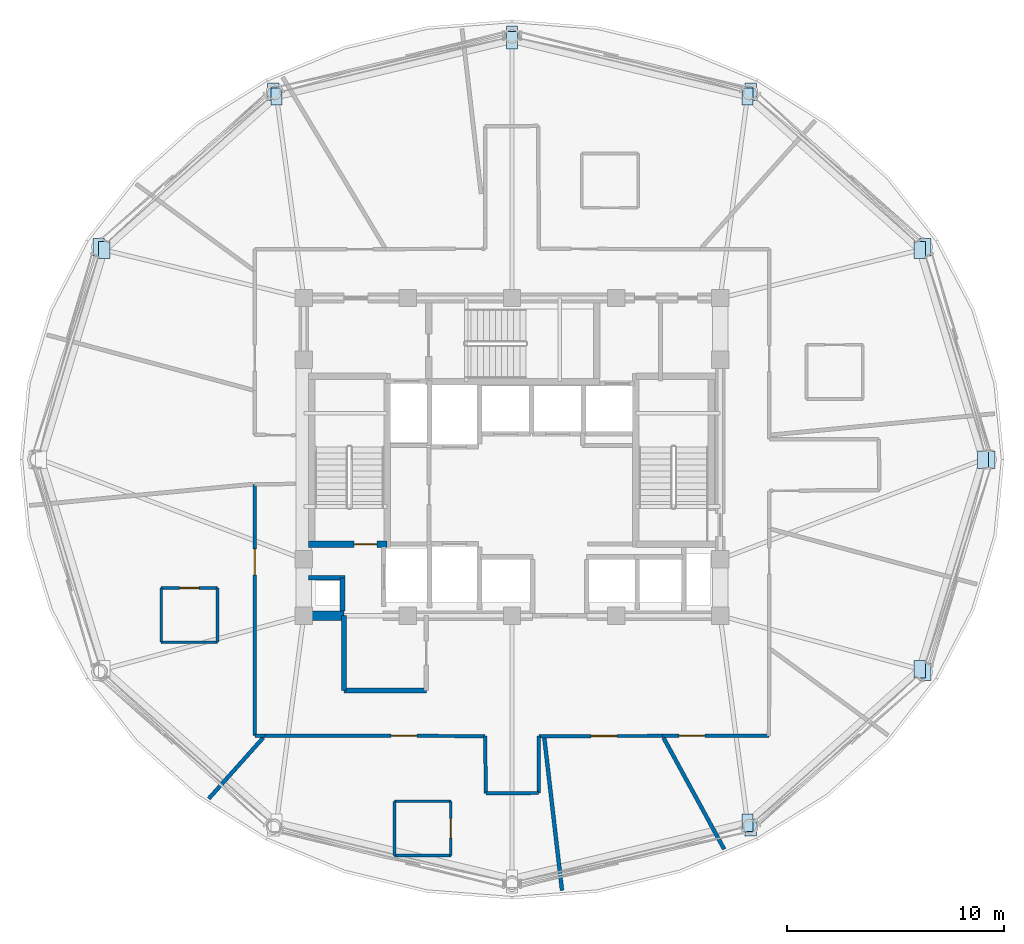
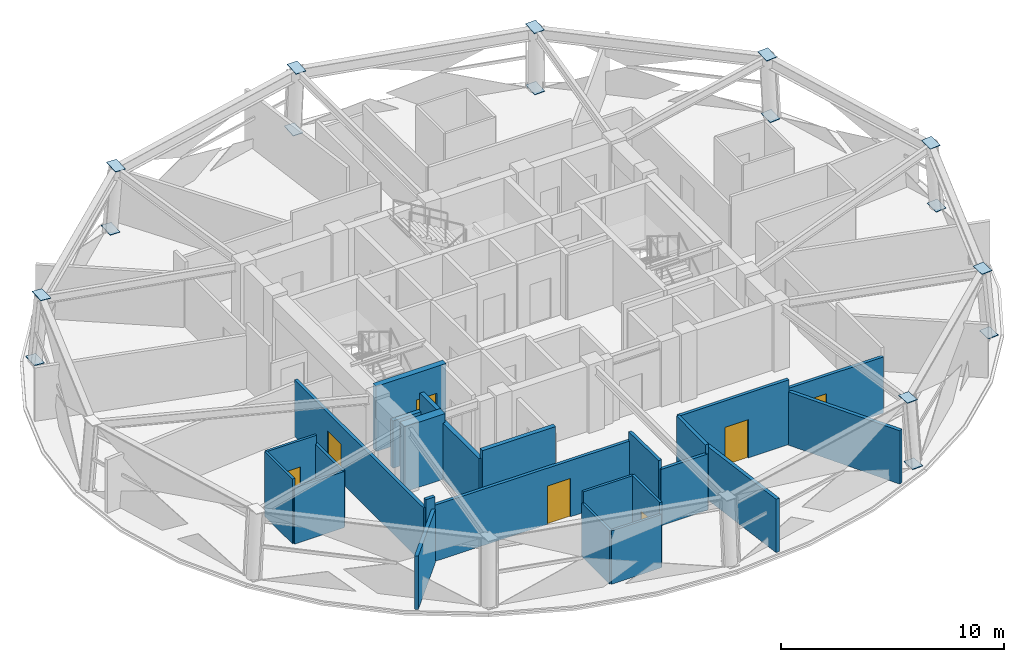
# One storey, part 4 of 11: 25 walls, 16 plates, 7 doors, 7 openings.
"""IFC4 building model written with IfcOpenShell, lengths in metres."""

from ifc_helpers import new_model, si_unit, direction, frame, frame_2d, origin, place, context, subcontext, project, spatial, polyline, rectangle, outline, extrude, material, layer, layer_set, type_object, element, fill, save


model = new_model("IFC4")

# Units and contexts
model_context = context("Model", 3, precision=1e-05, world=origin(), true_north=direction((0.0, 1.0)))
body_context = subcontext(model_context, "Body", "Model", "MODEL_VIEW")
ifc_project = project(units=[si_unit("LENGTHUNIT", "METRE"), si_unit("AREAUNIT", "SQUARE_METRE"), si_unit("VOLUMEUNIT", "CUBIC_METRE"), si_unit("PLANEANGLEUNIT", "RADIAN"), si_unit("MASSUNIT", "GRAM", prefix="KILO")], contexts=[model_context])

# Site, building, storey
site_placement = place(None, origin())
site = spatial("IfcSite", under=ifc_project, at=site_placement, CompositionType="ELEMENT")
building_placement = place(site_placement, origin())
building = spatial("IfcBuilding", under=site, at=building_placement, Name="Vantalir Tower", CompositionType="ELEMENT")
storey_placement = place(building_placement, frame((0.0, 0.0, 231.14990234375)))
storey = spatial("IfcBuildingStorey", under=building, at=storey_placement, Name="L58", CompositionType="ELEMENT", Elevation=231.14990234375)

# Plates
ifc_material_1 = material(Name="Steel S460", Category="steel")
ifc_layer_1 = layer(ifc_material_1, 0.031982421875)
ifc_layer_set_1 = layer_set([ifc_layer_1], Name="Steel S460")
plate_type = type_object("IfcPlateType", Name="PLT-KN-Z3", PredefinedType="USERDEFINED", material=ifc_layer_set_1)
plate_1_placement = place(storey_placement, frame((52.956787109375, 25.39990234375, 3.572509765625), z_axis=(-0.082618137027, 0.0, 0.996581277887), x_axis=(0.0, -1.0, 0.0)))
element("IfcPlate", 1, at=plate_1_placement, inside=storey, type_object=plate_type, Name="L58 Ring Column Top Cap RC01", ObjectType="FLANGE_PLATE", PredefinedType="USERDEFINED", context=body_context, shape_type="SweptSolid", body=[
    extrude(outline(polyline([(0.0, 0.0), (0.7998046875, 0.0), (0.7998046875, 0.5200885852221947), (0.0, 0.5200885852221947), (0.0, 0.0)])), origin(), (0.0, 0.0, -1.0), 0.031982421875),
])
plate_2_placement = place(storey_placement, frame((53.24951171875, 25.39990234375, 0.031494140625), z_axis=(-0.082151892877, 0.0, 0.996619820441), x_axis=(0.0, -1.0, 0.0)))
element("IfcPlate", 2, at=plate_2_placement, inside=storey, type_object=plate_type, Name="L58 Ring Column Base Cap RC01", ObjectType="FLANGE_PLATE", PredefinedType="USERDEFINED", context=body_context, shape_type="SweptSolid", body=[
    extrude(outline(polyline([(0.0, 0.0), (0.7998046875, 0.0), (0.7998046875, 0.5200684716920532), (0.0, 0.5200684716920532), (0.0, 0.0)])), origin(), (0.0, 0.0, -1.0), 0.031982421875),
])
plate_3_placement = place(storey_placement, frame((50.046875, 35.0654296875, 3.59033203125), z_axis=(-0.071626877496, -0.036984146802, 0.996745586048), x_axis=(-1.129986e-05, -0.99931229299, -0.037080196227)))
element("IfcPlate", 3, at=plate_3_placement, inside=storey, type_object=plate_type, Name="L58 Ring Column Top Cap RC02", ObjectType="FLANGE_PLATE", PredefinedType="USERDEFINED", context=body_context, shape_type="SweptSolid", body=[
    extrude(outline(polyline([(0.0, 0.0), (0.7998711501922752, 4.336808689942018e-19), (0.799944048515855, 0.5201438586805849), (-0.00016202162191883982, 0.5201257326056257), (0.0, 0.0)])), origin(), (0.0, 0.0, -1.0), 0.031982421875),
])
plate_4_placement = place(storey_placement, frame((50.30078125, 35.196533203125, 0.049072265625), z_axis=(-0.07139355561, -0.036832774338, 0.996767930339), x_axis=(4.01195e-07, -0.999317966671, -0.036926975072)))
element("IfcPlate", 4, at=plate_4_placement, inside=storey, type_object=plate_type, Name="L58 Ring Column Base Cap RC02", ObjectType="FLANGE_PLATE", PredefinedType="USERDEFINED", context=body_context, shape_type="SweptSolid", body=[
    extrude(outline(polyline([(0.0, 0.0), (0.8001060802812273, 4.336808689942018e-19), (0.7999558220201554, 0.5201257514247132), (9.371585188476137e-05, 0.5201263949667418), (0.0, 0.0)])), origin(), (0.0, 0.0, -1.0), 0.031982421875),
])
plate_5_placement = place(storey_placement, frame((42.09814453125, 42.141357421875, 3.60888671875), z_axis=(-0.040945683992, -0.063730733967, 0.997126794601), x_axis=(0.0, -0.997963713083, -0.063784225087)))
element("IfcPlate", 5, at=plate_5_placement, inside=storey, type_object=plate_type, Name="L58 Ring Column Top Cap RC03", ObjectType="FLANGE_PLATE", PredefinedType="USERDEFINED", context=body_context, shape_type="SweptSolid", body=[
    extrude(outline(polyline([(0.0, 0.0), (0.7999688097714862, 8.673617379884035e-19), (0.800075878789048, 0.5199673081899523), (0.00010706901756170101, 0.5199673081899523), (0.0, 0.0)])), origin(), (0.0, 0.0, -1.0), 0.031982421875),
])
plate_6_placement = place(storey_placement, frame((42.244140625, 42.367431640625, 0.06787109375), z_axis=(-0.040915785494, -0.063730812089, 0.9971280169), x_axis=(0.0, -0.997963713083, -0.063784225087)))
element("IfcPlate", 6, at=plate_6_placement, inside=storey, type_object=plate_type, Name="L58 Ring Column Base Cap RC03", ObjectType="FLANGE_PLATE", PredefinedType="USERDEFINED", context=body_context, shape_type="SweptSolid", body=[
    extrude(outline(polyline([(0.0, 0.0), (0.7999688097714862, 4.336808689942018e-19), (0.7998322353044086, 0.5199666708034294), (-0.0001365744670776606, 0.5199666708034294), (0.0, 0.0)])), origin(), (0.0, 0.0, -1.0), 0.031982421875),
])
plate_7_placement = place(storey_placement, frame((31.239990234375, 44.730224609375, 3.62353515625), z_axis=(0.0, -0.073545696274, 0.997291848237), x_axis=(0.0, -0.997291848237, -0.073545696274)))
element("IfcPlate", 7, at=plate_7_placement, inside=storey, type_object=plate_type, Name="L58 Ring Column Top Cap RC04", ObjectType="FLANGE_PLATE", PredefinedType="USERDEFINED", context=body_context, shape_type="SweptSolid", body=[
    extrude(outline(polyline([(0.0, 0.0), (0.8000181330175529, 0.0), (0.8000181330175529, 0.52001953125), (0.0, 0.52001953125), (0.0, 0.0)])), origin(), (0.0, 0.0, -1.0), 0.031982421875),
])
plate_8_placement = place(storey_placement, frame((31.239990234375, 44.990966796875, 0.082275390625), z_axis=(0.0, -0.073242167855, 0.997314185625), x_axis=(0.0, -0.997314185625, -0.073242167855)))
element("IfcPlate", 8, at=plate_8_placement, inside=storey, type_object=plate_type, Name="L58 Ring Column Base Cap RC04", ObjectType="FLANGE_PLATE", PredefinedType="USERDEFINED", context=body_context, shape_type="SweptSolid", body=[
    extrude(outline(polyline([(0.0, 0.0), (0.8000002145766925, 0.0), (0.8000002145766925, 0.52001953125), (0.0, 0.52001953125), (0.0, 0.0)])), origin(), (0.0, 0.0, -1.0), 0.031982421875),
])
plate_9_placement = place(storey_placement, frame((20.38232421875, 42.139892578125, 3.630126953125), z_axis=(0.040945683992, -0.063730733967, 0.997126794601), x_axis=(0.0, -0.997963713083, -0.063784225087)))
element("IfcPlate", 9, at=plate_9_placement, inside=storey, type_object=plate_type, Name="L58 Ring Column Top Cap RC05", ObjectType="FLANGE_PLATE", PredefinedType="USERDEFINED", context=body_context, shape_type="SweptSolid", body=[
    extrude(outline(polyline([(0.0, 0.0), (0.7999688097714862, -8.673617379884035e-19), (0.7998617407539245, 0.5199673081899523), (-0.00010706901756170101, 0.5199673081899523), (0.0, 0.0)])), origin(), (0.0, 0.0, -1.0), 0.031982421875),
])
plate_10_placement = place(storey_placement, frame((20.236328125, 42.3662109375, 0.089111328125), z_axis=(0.040915785494, -0.063730812089, 0.9971280169), x_axis=(0.0, -0.997963713083, -0.063784225087)))
element("IfcPlate", 10, at=plate_10_placement, inside=storey, type_object=plate_type, Name="L58 Ring Column Base Cap RC05", ObjectType="FLANGE_PLATE", PredefinedType="USERDEFINED", context=body_context, shape_type="SweptSolid", body=[
    extrude(outline(polyline([(0.0, 0.0), (0.7999688097714862, -4.336808689942018e-19), (0.8001053842385638, 0.5199666708034294), (0.0001365744670776606, 0.5199666708034294), (0.0, 0.0)])), origin(), (0.0, 0.0, -1.0), 0.031982421875),
])
plate_11_placement = place(storey_placement, frame((12.434326171875, 35.064208984375, 3.62744140625), z_axis=(0.071626877496, -0.036984146802, 0.996745586048), x_axis=(-1.1296542e-05, -0.999312353157, -0.037078574665)))
element("IfcPlate", 11, at=plate_11_placement, inside=storey, type_object=plate_type, Name="L58 Ring Column Top Cap RC06", ObjectType="FLANGE_PLATE", PredefinedType="USERDEFINED", context=body_context, shape_type="SweptSolid", body=[
    extrude(outline(polyline([(0.0, 0.0), (0.8001060703430933, 4.336808689942018e-19), (0.8000213883736864, 0.5201438568956265), (0.00015023838667025248, 0.5201257361426869), (0.0, 0.0)])), origin(), (0.0, 0.0, -1.0), 0.031982421875),
])
plate_12_placement = place(storey_placement, frame((12.180419921875, 35.195068359375, 0.086181640625), z_axis=(0.07139355561, -0.036832774338, 0.996767930339), x_axis=(4.01318e-07, -0.99931796455, -0.036927032473)))
element("IfcPlate", 12, at=plate_12_placement, inside=storey, type_object=plate_type, Name="L58 Ring Column Base Cap RC06", ObjectType="FLANGE_PLATE", PredefinedType="USERDEFINED", context=body_context, shape_type="SweptSolid", body=[
    extrude(outline(polyline([(0.0, 0.0), (0.7998621061685295, 4.336808689942018e-19), (0.8000127829052095, 0.5201257513036521), (-9.329737575888429e-05, 0.5201263950419742), (0.0, 0.0)])), origin(), (0.0, 0.0, -1.0), 0.031982421875),
])
plate_13_placement = place(storey_placement, frame((42.09814453125, 8.656982421875, 3.557861328125), z_axis=(-0.040945683992, 0.063730733967, 0.997126794601), x_axis=(0.0, -0.997963713083, 0.063784225087)))
element("IfcPlate", 13, at=plate_13_placement, inside=storey, type_object=plate_type, Name="L58 Ring Column Top Cap RC11", ObjectType="FLANGE_PLATE", PredefinedType="USERDEFINED", context=body_context, shape_type="SweptSolid", body=[
    extrude(outline(polyline([(0.0, 0.0), (0.7999688097714862, -8.673617379884035e-19), (0.7998617407539245, 0.5199673081899523), (-0.00010706901756170101, 0.5199673081899523), (0.0, 0.0)])), origin(), (0.0, 0.0, -1.0), 0.031982421875),
])
plate_14_placement = place(storey_placement, frame((42.244140625, 8.430908203125, 0.016845703125), z_axis=(-0.040915785494, 0.063730812089, 0.9971280169), x_axis=(0.0, -0.997963713083, 0.063784225087)))
element("IfcPlate", 14, at=plate_14_placement, inside=storey, type_object=plate_type, Name="L58 Ring Column Base Cap RC11", ObjectType="FLANGE_PLATE", PredefinedType="USERDEFINED", context=body_context, shape_type="SweptSolid", body=[
    extrude(outline(polyline([(0.0, 0.0), (0.7999688097714862, -4.336808689942018e-19), (0.8001053842385638, 0.5199666708034294), (0.0001365744670776606, 0.5199666708034294), (0.0, 0.0)])), origin(), (0.0, 0.0, -1.0), 0.031982421875),
])
plate_15_placement = place(storey_placement, frame((50.046875, 15.73291015625, 3.560791015625), z_axis=(-0.07140211899, 0.036523189325, 0.996778708664), x_axis=(0.0, -0.999329385637, 0.036616649245)))
element("IfcPlate", 15, at=plate_15_placement, inside=storey, type_object=plate_type, Name="L58 Ring Column Top Cap RC12", ObjectType="FLANGE_PLATE", PredefinedType="USERDEFINED", context=body_context, shape_type="SweptSolid", body=[
    extrude(outline(polyline([(0.0, 0.0), (0.800097103484205, 0.0), (0.7999920630475289, 0.5201263928224394), (-0.00010504043667614645, 0.5201263928224394), (0.0, 0.0)])), origin(), (0.0, 0.0, -1.0), 0.031982421875),
])
plate_16_placement = place(storey_placement, frame((50.30078125, 15.60302734375, 0.019775390625), z_axis=(-0.071393568921, 0.03652878117, 0.996779116185), x_axis=(-3.97889e-07, -0.999329182072, 0.036622204468)))
element("IfcPlate", 16, at=plate_16_placement, inside=storey, type_object=plate_type, Name="L58 Ring Column Base Cap RC12", ObjectType="FLANGE_PLATE", PredefinedType="USERDEFINED", context=body_context, shape_type="SweptSolid", body=[
    extrude(outline(polyline([(0.0, 0.0), (0.8000971034717794, 4.336808689942018e-19), (0.7999920630599529, 0.5201263928033304), (0.00013893643926512762, 0.5201257545725513), (0.0, 0.0)])), origin(), (0.0, 0.0, -1.0), 0.031982421875),
])

# Wall
ifc_material_2 = material(Name="Moisture-resistant en-suite partition", Category="gypsum")
ifc_layer_2 = layer(ifc_material_2, 0.125)
ifc_layer_set_2 = layer_set([ifc_layer_2], Name="Moisture-resistant en-suite partition")
wall_type_1 = type_object("IfcWallType", Name="WL-BATH-125", PredefinedType="PARTITIONING", material=ifc_layer_set_2)
wall_1_placement = place(storey_placement, frame((15.322998046875, 16.5791015625, 0.0), z_axis=(0.0, 0.0, 1.0), x_axis=(1.0, 0.0, 0.0)))
element("IfcWall", 17, at=wall_1_placement, inside=storey, type_object=wall_type_1, Name="L58 En-suite 07 South Wall", PredefinedType="PARTITIONING", context=body_context, shape_type="SweptSolid", body=[
    extrude(rectangle(XDim=2.60009765625, YDim=0.125, at=frame_2d((1.300048828125, 0.0))), origin(), (0.0, 0.0, 1.0), 3.0810546875),
])

# Wall, opening, door
wall_2_placement = place(storey_placement, frame((15.322998046875, 19.0791015625, 0.0), z_axis=(0.0, 0.0, 1.0), x_axis=(1.0, 0.0, 0.0)))
wall_2 = element("IfcWall", 18, at=wall_2_placement, inside=storey, type_object=wall_type_1, Name="L58 En-suite 07 North Wall", PredefinedType="PARTITIONING", context=body_context, shape_type="SweptSolid", body=[
    extrude(rectangle(XDim=2.60009765625, YDim=0.125, at=frame_2d((1.300048828125, 0.0))), origin(), (0.0, 0.0, 1.0), 3.550048828125),
])
opening_1_placement = place(wall_2_placement, frame((0.85009765625, 0.0, 0.0)))
opening_1 = element("IfcOpeningElement", 19, at=opening_1_placement, cuts=wall_2, Name="Opening D-WC", PredefinedType="OPENING", context=body_context, shape_type="SweptSolid", body=[
    extrude(rectangle(XDim=0.89990234375, YDim=2.10009765625, at=frame_2d((0.449951171875, 1.050048828125))), frame((0.0, 0.072509765625, 0.0), z_axis=(0.0, -1.0, 0.0), x_axis=(1.0, 0.0, 0.0)), (0.0, 0.0, 1.0), 0.14501953125),
])
ifc_material_3 = material(Name="Moisture-resistant hardwood door", Category="wood")
door_type_1 = type_object("IfcDoorType", Name="DR-ENSUITE-900", OperationType="NOTDEFINED", PredefinedType="DOOR", material=ifc_material_3)
door_1_placement = place(opening_1_placement, frame((0.89990234375, 0.0, 0.0), z_axis=(0.0, 0.0, 1.0), x_axis=(-1.0, 0.0, 0.0)))
door_1 = element("IfcDoor", 20, at=door_1_placement, inside=storey, type_object=door_type_1, Name="L58 En-suite 07 Door", OperationType="SINGLE_SWING_RIGHT", OverallHeight=2.10009765625, OverallWidth=0.89990234375, PredefinedType="DOOR", context=body_context, shape_type="SweptSolid", body=[
    extrude(rectangle(XDim=0.89990234375, YDim=2.10009765625, at=frame_2d((0.449951171875, 1.050048828125))), frame((0.0, 0.02490234375, 0.0), z_axis=(0.0, -1.0, 0.0), x_axis=(1.0, 0.0, 0.0)), (0.0, 0.0, 1.0), 0.050048828125),
])
fill(opening_1, door_1)

# Walls
wall_3_placement = place(storey_placement, frame((15.322998046875, 16.5791015625, 0.0), z_axis=(0.0, 0.0, 1.0), x_axis=(0.0, 1.0, 0.0)))
element("IfcWall", 21, at=wall_3_placement, inside=storey, type_object=wall_type_1, Name="L58 En-suite 07 West Wall", PredefinedType="PARTITIONING", context=body_context, shape_type="SweptSolid", body=[
    extrude(rectangle(XDim=2.5, YDim=0.125, at=frame_2d((1.25, 0.0))), origin(), (0.0, 0.0, 1.0), 3.550048828125),
])
wall_4_placement = place(storey_placement, frame((17.923095703125, 16.5791015625, 0.0), z_axis=(0.0, 0.0, 1.0), x_axis=(0.0, 1.0, 0.0)))
element("IfcWall", 22, at=wall_4_placement, inside=storey, type_object=wall_type_1, Name="L58 En-suite 07 East Wall", PredefinedType="PARTITIONING", context=body_context, shape_type="SweptSolid", body=[
    extrude(rectangle(XDim=2.5, YDim=0.125, at=frame_2d((1.25, 0.0))), origin(), (0.0, 0.0, 1.0), 3.0810546875),
])
wall_5_placement = place(storey_placement, frame((26.077880859375, 6.740966796875, 0.0), z_axis=(0.0, 0.0, 1.0), x_axis=(1.0, 0.0, 0.0)))
element("IfcWall", 23, at=wall_5_placement, inside=storey, type_object=wall_type_1, Name="L58 En-suite 08 South Wall", PredefinedType="PARTITIONING", context=body_context, shape_type="SweptSolid", body=[
    extrude(rectangle(XDim=2.60009765625, YDim=0.125, at=frame_2d((1.300048828125, 0.0))), origin(), (0.0, 0.0, 1.0), 2.925048828125),
])
wall_6_placement = place(storey_placement, frame((26.077880859375, 9.240966796875, 0.0), z_axis=(0.0, 0.0, 1.0), x_axis=(1.0, 0.0, 0.0)))
element("IfcWall", 24, at=wall_6_placement, inside=storey, type_object=wall_type_1, Name="L58 En-suite 08 North Wall", PredefinedType="PARTITIONING", context=body_context, shape_type="SweptSolid", body=[
    extrude(rectangle(XDim=2.60009765625, YDim=0.125, at=frame_2d((1.300048828125, 0.0))), origin(), (0.0, 0.0, 1.0), 3.550048828125),
])
wall_7_placement = place(storey_placement, frame((26.077880859375, 6.740966796875, 0.0), z_axis=(0.0, 0.0, 1.0), x_axis=(0.0, 1.0, 0.0)))
element("IfcWall", 25, at=wall_7_placement, inside=storey, type_object=wall_type_1, Name="L58 En-suite 08 West Wall", PredefinedType="PARTITIONING", context=body_context, shape_type="SweptSolid", body=[
    extrude(rectangle(XDim=2.5, YDim=0.125, at=frame_2d((1.25, 0.0))), origin(), (0.0, 0.0, 1.0), 2.925048828125),
])

# Wall, opening, door
wall_8_placement = place(storey_placement, frame((28.677978515625, 6.740966796875, 0.0), z_axis=(0.0, 0.0, 1.0), x_axis=(0.0, 1.0, 0.0)))
wall_8 = element("IfcWall", 26, at=wall_8_placement, inside=storey, type_object=wall_type_1, Name="L58 En-suite 08 East Wall", PredefinedType="PARTITIONING", context=body_context, shape_type="SweptSolid", body=[
    extrude(rectangle(XDim=2.5, YDim=0.125, at=frame_2d((1.25, 0.0))), origin(), (0.0, 0.0, 1.0), 3.550048828125),
])
opening_2_placement = place(wall_8_placement, frame((0.800048828125, 0.0, 0.0)))
opening_2 = element("IfcOpeningElement", 27, at=opening_2_placement, cuts=wall_8, Name="Opening D-WC", PredefinedType="OPENING", context=body_context, shape_type="SweptSolid", body=[
    extrude(rectangle(XDim=0.89990234375, YDim=2.10009765625, at=frame_2d((0.449951171875, 1.050048828125))), frame((0.0, 0.072509765625, 0.0), z_axis=(0.0, -1.0, 0.0), x_axis=(1.0, 0.0, 0.0)), (0.0, 0.0, 1.0), 0.14501953125),
])
door_2_placement = place(opening_2_placement, origin())
door_2 = element("IfcDoor", 28, at=door_2_placement, inside=storey, type_object=door_type_1, Name="L58 En-suite 08 Door", OperationType="SINGLE_SWING_LEFT", OverallHeight=2.10009765625, OverallWidth=0.89990234375, PredefinedType="DOOR", context=body_context, shape_type="SweptSolid", body=[
    extrude(rectangle(XDim=0.89990234375, YDim=2.10009765625, at=frame_2d((0.449951171875, 1.050048828125))), frame((0.0, 0.02490234375, 0.0), z_axis=(0.0, -1.0, 0.0), x_axis=(1.0, 0.0, 0.0)), (0.0, 0.0, 1.0), 0.050048828125),
])
fill(opening_2, door_2)

# Wall
ifc_material_4 = material(Name="Concrete C50/60", Category="concrete")
ifc_layer_3 = layer(ifc_material_4, 0.449951171875)
ifc_layer_set_3 = layer_set([ifc_layer_3], Name="Concrete C50/60")
wall_type_2 = type_object("IfcWallType", Name="WL-CORE-450", PredefinedType="SHEAR", material=ifc_layer_set_3)
wall_9_placement = place(storey_placement, frame((21.675048828125, 17.800048828125, 0.0), z_axis=(0.0, 0.0, 1.0), x_axis=(1.0, 0.0, 0.0)))
element("IfcWall", 29, at=wall_9_placement, inside=storey, type_object=wall_type_2, Name="L58 Core Shear Wall South-West", PredefinedType="SHEAR", context=body_context, shape_type="SweptSolid", body=[
    extrude(rectangle(XDim=2.074951171875, YDim=0.449951171875, at=frame_2d((1.03759765625, 0.0))), origin(), (0.0, 0.0, 1.0), 3.570068359375),
])

# Wall, opening, door
ifc_material_5 = material(Name="Fire-rated hotel corridor acoustic partition", Category="gypsum")
ifc_layer_4 = layer(ifc_material_5, 0.159912109375)
ifc_layer_set_4 = layer_set([ifc_layer_4], Name="Fire-rated hotel corridor acoustic partition")
wall_type_3 = type_object("IfcWallType", Name="WL-CORR-160", PredefinedType="PARTITIONING", material=ifc_layer_set_4)
wall_10_placement = place(storey_placement, frame((43.35009765625, 12.259033203125, 0.0), z_axis=(0.0, 0.0, 1.0), x_axis=(-0.99999964262, -0.000845434351, 0.0)))
wall_10 = element("IfcWall", 30, at=wall_10_placement, inside=storey, type_object=wall_type_3, Name="L58 Corridor Partition 20", PredefinedType="PARTITIONING", context=body_context, shape_type="SweptSolid", body=[
    extrude(rectangle(XDim=4.9091796875, YDim=0.159912109375, at=frame_2d((2.45458984375, 0.0))), origin(), (0.0, 0.0, 1.0), 3.0810546875),
])
opening_3_placement = place(wall_10_placement, frame((2.9599609375, 0.0, 0.0)))
opening_3 = element("IfcOpeningElement", 31, at=opening_3_placement, cuts=wall_10, Name="Opening D-STE", PredefinedType="OPENING", context=body_context, shape_type="SweptSolid", body=[
    extrude(rectangle(XDim=1.199951171875, YDim=2.10009765625, at=frame_2d((0.60009765625, 1.050048828125))), frame((0.0, 0.08984375, 0.0), z_axis=(0.0, -1.0, 0.0), x_axis=(1.0, 0.0, 0.0)), (0.0, 0.0, 1.0), 0.179931640625),
])
ifc_material_6 = material(Name="Solid-core teak veneer suite entrance door", Category="wood")
door_type_2 = type_object("IfcDoorType", Name="DR-SUITE-ENTRY-1200", OperationType="NOTDEFINED", PredefinedType="DOOR", material=ifc_material_6)
door_3_placement = place(opening_3_placement, origin())
door_3 = element("IfcDoor", 32, at=door_3_placement, inside=storey, type_object=door_type_2, Name="L58 Club Reading Lounge 10 Door", OperationType="SINGLE_SWING_RIGHT", OverallHeight=2.10009765625, OverallWidth=1.199951171875, PredefinedType="DOOR", context=body_context, shape_type="SweptSolid", body=[
    extrude(rectangle(XDim=1.199951171875, YDim=2.10009765625, at=frame_2d((0.60009765625, 1.050048828125))), frame((0.0, 0.02490234375, 0.0), z_axis=(0.0, -1.0, 0.0), x_axis=(1.0, 0.0, 0.0)), (0.0, 0.0, 1.0), 0.050048828125),
])
fill(opening_3, door_3)

wall_11_placement = place(storey_placement, frame((38.44091796875, 12.2548828125, 0.0), z_axis=(0.0, 0.0, 1.0), x_axis=(-0.999999633209, -0.000856494054, 0.0)))
wall_11 = element("IfcWall", 33, at=wall_11_placement, inside=storey, type_object=wall_type_3, Name="L58 Corridor Partition 21", PredefinedType="PARTITIONING", context=body_context, shape_type="SweptSolid", body=[
    extrude(rectangle(XDim=5.700927734375, YDim=0.159912109375, at=frame_2d((2.8505859375, 0.0))), origin(), (0.0, 0.0, 1.0), 3.550048828125),
])
opening_4_placement = place(wall_11_placement, frame((2.10107421875, 0.0, 0.0)))
opening_4 = element("IfcOpeningElement", 34, at=opening_4_placement, cuts=wall_11, Name="Opening D-STE", PredefinedType="OPENING", context=body_context, shape_type="SweptSolid", body=[
    extrude(rectangle(XDim=1.199951171875, YDim=2.10009765625, at=frame_2d((0.60009765625, 1.050048828125))), frame((0.0, 0.08984375, 0.0), z_axis=(0.0, -1.0, 0.0), x_axis=(1.0, 0.0, 0.0)), (0.0, 0.0, 1.0), 0.179931640625),
])
door_4_placement = place(opening_4_placement, origin())
door_4 = element("IfcDoor", 35, at=door_4_placement, inside=storey, type_object=door_type_2, Name="L58 Club Reading Lounge 09 Door", OperationType="SINGLE_SWING_LEFT", OverallHeight=2.10009765625, OverallWidth=1.199951171875, PredefinedType="DOOR", context=body_context, shape_type="SweptSolid", body=[
    extrude(rectangle(XDim=1.199951171875, YDim=2.10009765625, at=frame_2d((0.60009765625, 1.050048828125))), frame((0.0, 0.02490234375, 0.0), z_axis=(0.0, -1.0, 0.0), x_axis=(1.0, 0.0, 0.0)), (0.0, 0.0, 1.0), 0.050048828125),
])
fill(opening_4, door_4)

# Walls
wall_12_placement = place(storey_placement, frame((32.739990234375, 12.25, 0.0), z_axis=(0.0, 0.0, 1.0), x_axis=(-0.004558940342, -0.999989607977, 0.0)))
element("IfcWall", 36, at=wall_12_placement, inside=storey, type_object=wall_type_3, Name="L58 Corridor Partition 22", PredefinedType="PARTITIONING", context=body_context, shape_type="SweptSolid", body=[
    extrude(rectangle(XDim=2.6240234375, YDim=0.159912109375, at=frame_2d((1.31201171875, 0.0))), origin(), (0.0, 0.0, 1.0), 3.550048828125),
])
wall_13_placement = place(storey_placement, frame((32.72802734375, 9.6259765625, 0.0), z_axis=(0.0, 0.0, 1.0), x_axis=(-0.999987903459, -0.004918631527, 0.0)))
element("IfcWall", 37, at=wall_13_placement, inside=storey, type_object=wall_type_3, Name="L58 Corridor Partition 23", PredefinedType="PARTITIONING", context=body_context, shape_type="SweptSolid", body=[
    extrude(rectangle(XDim=2.43212890625, YDim=0.159912109375, at=frame_2d((1.216064453125, 0.0))), origin(), (0.0, 0.0, 1.0), 3.0810546875),
])
wall_14_placement = place(storey_placement, frame((30.2958984375, 9.614013671875, 0.0), z_axis=(0.0, 0.0, 1.0), x_axis=(-0.013613631337, 0.999907330227, 0.0)))
element("IfcWall", 38, at=wall_14_placement, inside=storey, type_object=wall_type_3, Name="L58 Corridor Partition 24", PredefinedType="PARTITIONING", context=body_context, shape_type="SweptSolid", body=[
    extrude(rectangle(XDim=2.63623046875, YDim=0.159912109375, at=frame_2d((1.318115234375, 0.0))), origin(), (0.0, 0.0, 1.0), 3.550048828125),
])

# Wall, opening, door
wall_15_placement = place(storey_placement, frame((30.260009765625, 12.25, 0.0), z_axis=(0.0, 0.0, 1.0), x_axis=(-0.999998052604, 0.001973522029, 0.0)))
wall_15 = element("IfcWall", 39, at=wall_15_placement, inside=storey, type_object=wall_type_3, Name="L58 Corridor Partition 25", PredefinedType="PARTITIONING", context=body_context, shape_type="SweptSolid", body=[
    extrude(rectangle(XDim=10.14404296875, YDim=0.159912109375, at=frame_2d((5.072021484375, 0.0))), origin(), (0.0, 0.0, 1.0), 3.0810546875),
])
opening_5_placement = place(wall_15_placement, frame((3.134033203125, 0.0, 0.0)))
opening_5 = element("IfcOpeningElement", 40, at=opening_5_placement, cuts=wall_15, Name="Opening D-STE", PredefinedType="OPENING", context=body_context, shape_type="SweptSolid", body=[
    extrude(rectangle(XDim=1.199951171875, YDim=2.10009765625, at=frame_2d((0.60009765625, 1.050048828125))), frame((0.0, 0.08984375, 0.0), z_axis=(0.0, -1.0, 0.0), x_axis=(1.0, 0.0, 0.0)), (0.0, 0.0, 1.0), 0.179931640625),
])
door_5_placement = place(opening_5_placement, origin())
door_5 = element("IfcDoor", 41, at=door_5_placement, inside=storey, type_object=door_type_2, Name="L58 Executive Club Hotel Suite 08 Door", OperationType="SINGLE_SWING_RIGHT", OverallHeight=2.10009765625, OverallWidth=1.199951171875, PredefinedType="DOOR", context=body_context, shape_type="SweptSolid", body=[
    extrude(rectangle(XDim=1.199951171875, YDim=2.10009765625, at=frame_2d((0.60009765625, 1.050048828125))), frame((0.0, 0.02490234375, 0.0), z_axis=(0.0, -1.0, 0.0), x_axis=(1.0, 0.0, 0.0)), (0.0, 0.0, 1.0), 0.050048828125),
])
fill(opening_5, door_5)

# Wall
wall_16_placement = place(storey_placement, frame((20.115966796875, 12.27001953125, 0.0), z_axis=(0.0, 0.0, 1.0), x_axis=(-0.999997896128, 0.002051277736, 0.0)))
element("IfcWall", 42, at=wall_16_placement, inside=storey, type_object=wall_type_3, Name="L58 Corridor Partition 26", PredefinedType="PARTITIONING", context=body_context, shape_type="SweptSolid", body=[
    extrude(rectangle(XDim=0.47607421875, YDim=0.159912109375, at=frame_2d((0.238037109375, 0.0))), origin(), (0.0, 0.0, 1.0), 3.550048828125),
])

# Wall, opening, door
wall_17_placement = place(storey_placement, frame((19.639892578125, 12.27099609375, 0.0), z_axis=(0.0, 0.0, 1.0), x_axis=(-0.000421549579, 0.999999911148, 0.0)))
wall_17 = element("IfcWall", 43, at=wall_17_placement, inside=storey, type_object=wall_type_3, Name="L58 Corridor Partition 27", PredefinedType="PARTITIONING", context=body_context, shape_type="SweptSolid", body=[
    extrude(rectangle(XDim=11.5830078125, YDim=0.159912109375, at=frame_2d((5.79150390625, 0.0))), origin(), (0.0, 0.0, 1.0), 3.0810546875),
])
opening_6_placement = place(wall_17_placement, frame((7.410888671875, 0.0, 0.0)))
opening_6 = element("IfcOpeningElement", 44, at=opening_6_placement, cuts=wall_17, Name="Opening D-STE", PredefinedType="OPENING", context=body_context, shape_type="SweptSolid", body=[
    extrude(rectangle(XDim=1.199951171875, YDim=2.10009765625, at=frame_2d((0.60009765625, 1.050048828125))), frame((0.0, 0.08984375, 0.0), z_axis=(0.0, -1.0, 0.0), x_axis=(1.0, 0.0, 0.0)), (0.0, 0.0, 1.0), 0.179931640625),
])
door_6_placement = place(opening_6_placement, origin())
door_6 = element("IfcDoor", 45, at=door_6_placement, inside=storey, type_object=door_type_2, Name="L58 Corner Panorama Hotel Suite 07 Door", OperationType="SINGLE_SWING_LEFT", OverallHeight=2.10009765625, OverallWidth=1.199951171875, PredefinedType="DOOR", context=body_context, shape_type="SweptSolid", body=[
    extrude(rectangle(XDim=1.199951171875, YDim=2.10009765625, at=frame_2d((0.60009765625, 1.050048828125))), frame((0.0, 0.02490234375, 0.0), z_axis=(0.0, -1.0, 0.0), x_axis=(1.0, 0.0, 0.0)), (0.0, 0.0, 1.0), 0.050048828125),
])
fill(opening_6, door_6)

# Walls
ifc_material_7 = material(Name="Concrete blockwork with fireboard lining", Category="masonry")
ifc_layer_5 = layer(ifc_material_7, 0.219970703125)
ifc_layer_set_5 = layer_set([ifc_layer_5], Name="Concrete blockwork with fireboard lining")
wall_type_4 = type_object("IfcWallType", Name="WL-FFL-220", PredefinedType="PARTITIONING", material=ifc_layer_set_5)
wall_18_placement = place(storey_placement, frame((23.679931640625, 18.02490234375, 0.0), z_axis=(0.0, 0.0, 1.0), x_axis=(0.0, 1.0, 0.0)))
element("IfcWall", 46, at=wall_18_placement, inside=storey, type_object=wall_type_4, Name="L58 West MEP Riser Wall E", PredefinedType="PARTITIONING", context=body_context, shape_type="SweptSolid", body=[
    extrude(rectangle(XDim=1.525146484375, YDim=0.219970703125, at=frame_2d((0.7626953125, 0.0))), origin(), (0.0, 0.0, 1.0), 3.550048828125),
])
wall_19_placement = place(storey_placement, frame((22.125, 19.550048828125, 0.0), z_axis=(0.0, 0.0, 1.0), x_axis=(1.0, 0.0, 0.0)))
element("IfcWall", 47, at=wall_19_placement, inside=storey, type_object=wall_type_4, Name="L58 West MEP Riser Wall N", PredefinedType="PARTITIONING", context=body_context, shape_type="SweptSolid", body=[
    extrude(rectangle(XDim=1.6650390625, YDim=0.219970703125, at=frame_2d((0.83251953125, 0.0))), origin(), (0.0, 0.0, 1.0), 2.59521484375),
])
wall_20_placement = place(storey_placement, frame((23.75, 14.35009765625, 0.0), z_axis=(0.0, 0.0, 1.0), x_axis=(0.0, 1.0, 0.0)))
element("IfcWall", 48, at=wall_20_placement, inside=storey, type_object=wall_type_4, Name="L58 Firefighting Lobby West Outer W", PredefinedType="PARTITIONING", context=body_context, shape_type="SweptSolid", body=[
    extrude(rectangle(XDim=3.449951171875, YDim=0.219970703125, at=frame_2d((1.72509765625, 0.0))), origin(), (0.0, 0.0, 1.0), 3.0810546875),
])
wall_21_placement = place(storey_placement, frame((23.75, 14.35009765625, 0.0), z_axis=(0.0, 0.0, 1.0), x_axis=(1.0, 0.0, 0.0)))
element("IfcWall", 49, at=wall_21_placement, inside=storey, type_object=wall_type_4, Name="L58 Firefighting Lobby West South Wall", PredefinedType="PARTITIONING", context=body_context, shape_type="SweptSolid", body=[
    extrude(rectangle(XDim=3.800048828125, YDim=0.219970703125, at=frame_2d((1.89990234375, 0.0))), origin(), (0.0, 0.0, 1.0), 3.550048828125),
])
ifc_material_8 = material(Name="Twin-stud acoustic fire-rated gypsum partition", Category="gypsum")
ifc_layer_6 = layer(ifc_material_8, 0.179931640625)
ifc_layer_set_6 = layer_set([ifc_layer_6], Name="Twin-stud acoustic fire-rated gypsum partition")
wall_type_5 = type_object("IfcWallType", Name="WL-GUEST-180", PredefinedType="PARTITIONING", material=ifc_layer_set_6)
wall_22_placement = place(storey_placement, frame((20.030029296875, 12.175048828125, 0.0), z_axis=(0.0, 0.0, 1.0), x_axis=(-0.666681397774, -0.745342816335, 0.0)))
element("IfcWall", 50, at=wall_22_placement, inside=storey, type_object=wall_type_5, Name="L58 Radial Suite Partition 08", PredefinedType="PARTITIONING", context=body_context, shape_type="SweptSolid", body=[
    extrude(rectangle(XDim=3.774169921875, YDim=0.179931640625, at=frame_2d((1.88720703125, 0.0))), origin(), (0.0, 0.0, 1.0), 2.925048828125),
])
wall_23_placement = place(storey_placement, frame((32.989013671875, 12.175048828125, 0.0), z_axis=(0.0, 0.0, 1.0), x_axis=(0.115246372969, -0.993336938565, 0.0)))
element("IfcWall", 51, at=wall_23_placement, inside=storey, type_object=wall_type_5, Name="L58 Radial Suite Partition 09", PredefinedType="PARTITIONING", context=body_context, shape_type="SweptSolid", body=[
    extrude(rectangle(XDim=7.088134765625, YDim=0.179931640625, at=frame_2d((3.5439453125, 0.0))), origin(), (0.0, 0.0, 1.0), 2.925048828125),
])
wall_24_placement = place(storey_placement, frame((38.485107421875, 12.175048828125, 0.0), z_axis=(0.0, 0.0, 1.0), x_axis=(0.478238008714, -0.87823026993, 0.0)))
element("IfcWall", 52, at=wall_24_placement, inside=storey, type_object=wall_type_5, Name="L58 Radial Suite Partition 10", PredefinedType="PARTITIONING", context=body_context, shape_type="SweptSolid", body=[
    extrude(rectangle(XDim=5.850341796875, YDim=0.179931640625, at=frame_2d((2.92529296875, 0.0))), origin(), (0.0, 0.0, 1.0), 2.925048828125),
])

# Wall, opening, door
ifc_layer_7 = layer(ifc_material_4, 0.300048828125)
ifc_layer_set_7 = layer_set([ifc_layer_7], Name="Concrete C50/60")
wall_type_6 = type_object("IfcWallType", Name="WL-STAIR-300", PredefinedType="SHEAR", material=ifc_layer_set_7)
wall_25_placement = place(storey_placement, frame((22.125, 21.10009765625, 0.0), z_axis=(0.0, 0.0, 1.0), x_axis=(1.0, 0.0, 0.0)))
wall_25 = element("IfcWall", 53, at=wall_25_placement, inside=storey, type_object=wall_type_6, Name="L58 Stair ST1 South Wall", PredefinedType="SHEAR", context=body_context, shape_type="SweptSolid", body=[
    extrude(rectangle(XDim=3.614990234375, YDim=0.300048828125, at=frame_2d((1.8076171875, 0.0))), origin(), (0.0, 0.0, 1.0), 3.570068359375),
])
opening_7_placement = place(wall_25_placement, frame((2.094970703125, 0.0, 0.0)))
opening_7 = element("IfcOpeningElement", 54, at=opening_7_placement, cuts=wall_25, Name="Opening D-ST", PredefinedType="OPENING", context=body_context, shape_type="SweptSolid", body=[
    extrude(rectangle(XDim=1.050048828125, YDim=2.10009765625, at=frame_2d((0.52490234375, 1.050048828125))), frame((0.0, 0.159912109375, 0.0), z_axis=(0.0, -1.0, 0.0), x_axis=(1.0, 0.0, 0.0)), (0.0, 0.0, 1.0), 0.320068359375),
])
ifc_material_9 = material(Name="Fire-rated steel door leaf", Category="steel")
door_type_3 = type_object("IfcDoorType", Name="DR-FIRE-STAIR-1050", OperationType="NOTDEFINED", PredefinedType="DOOR", material=ifc_material_9)
door_7_placement = place(opening_7_placement, origin())
door_7 = element("IfcDoor", 55, at=door_7_placement, inside=storey, type_object=door_type_3, Name="L58 Exit Stair ST1 Fire Door", OperationType="SINGLE_SWING_LEFT", OverallHeight=2.10009765625, OverallWidth=1.050048828125, PredefinedType="DOOR", context=body_context, shape_type="SweptSolid", body=[
    extrude(rectangle(XDim=1.050048828125, YDim=2.10009765625, at=frame_2d((0.52490234375, 1.050048828125))), frame((0.0, 0.02490234375, 0.0), z_axis=(0.0, -1.0, 0.0), x_axis=(1.0, 0.0, 0.0)), (0.0, 0.0, 1.0), 0.050048828125),
])
fill(opening_7, door_7)

save(model, "model.ifc")
